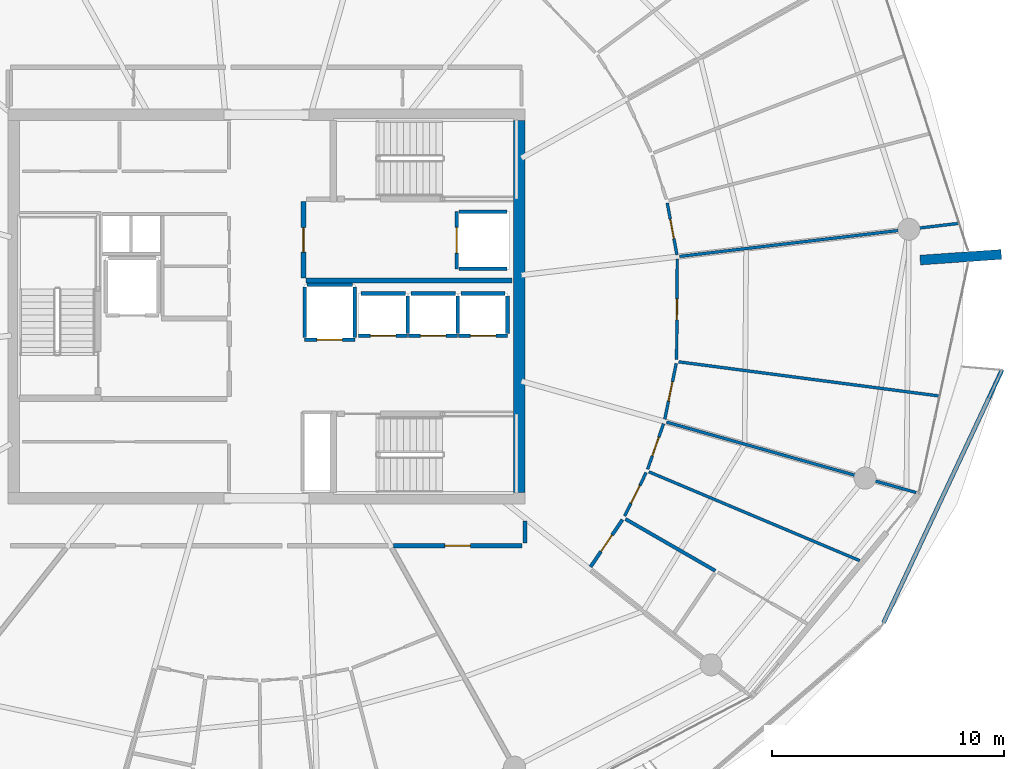
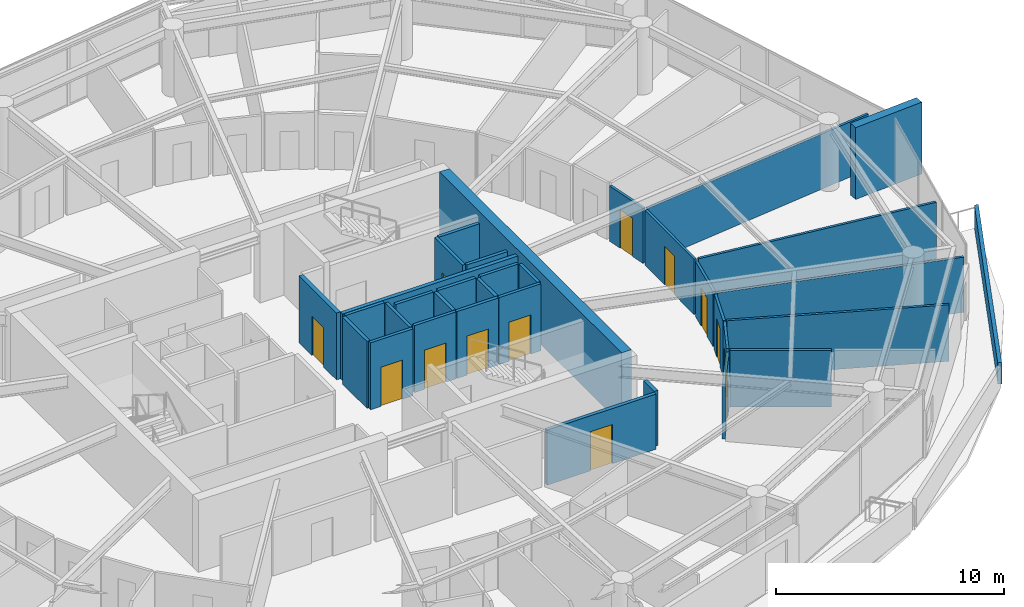
# One storey, part 20 of 30: 34 walls, 13 doors, 13 openings.
"""IFC4 building model written with IfcOpenShell, lengths in metres."""

from ifc_helpers import new_model, si_unit, direction, frame, frame_2d, origin, place, context, subcontext, project, spatial, polyline, rectangle, outline, extrude, material, layer, layer_set, type_object, element, fill, save


model = new_model("IFC4")

# Units and contexts
model_context = context("Model", 3, precision=1e-05, world=origin(), true_north=direction((0.0, 1.0)))
body_context = subcontext(model_context, "Body", "Model", "MODEL_VIEW")
ifc_project = project(units=[si_unit("LENGTHUNIT", "METRE"), si_unit("AREAUNIT", "SQUARE_METRE"), si_unit("VOLUMEUNIT", "CUBIC_METRE"), si_unit("PLANEANGLEUNIT", "RADIAN"), si_unit("MASSUNIT", "GRAM", prefix="KILO")], contexts=[model_context])

# Site, building, storey
site_placement = place(None, origin())
site = spatial("IfcSite", under=ifc_project, at=site_placement, CompositionType="ELEMENT")
building_placement = place(site_placement, origin())
building = spatial("IfcBuilding", under=site, at=building_placement, Name="Kazma Halo Residences", CompositionType="ELEMENT")
storey_placement = place(building_placement, frame((0.0, 0.0, 294.449951171875)))
storey = spatial("IfcBuildingStorey", under=building, at=storey_placement, Name="L74", CompositionType="ELEMENT", Elevation=294.449951171875)

# Walls
ifc_material_1 = material(Name="White Concrete C50/60 Balustrade", Category="concrete")
ifc_layer_1 = layer(ifc_material_1, 0.179931640625)
ifc_layer_set_1 = layer_set([ifc_layer_1], Name="White Concrete C50/60 Balustrade")
wall_type_1 = type_object("IfcWallType", Name="WL-BAL-WAVE-180", PredefinedType="PARAPET", material=ifc_layer_set_1)
wall_1_placement = place(storey_placement, frame((74.98779296875, 28.3837890625, 0.0), z_axis=(0.0, 0.0, 1.0), x_axis=(0.424181665689, 0.905577116812, 0.0)))
element("IfcWall", 1, at=wall_1_placement, inside=storey, type_object=wall_type_1, Name="L74 white wave balustrade wall SE.2", PredefinedType="PARAPET", context=body_context, shape_type="SweptSolid", body=[
    extrude(outline(polyline([(0.0, 0.0), (12.029052734375, 0.0), (12.029296875, 1.22412109375), (6.0146484375, 1.126953125), (0.0, 1.14794921875), (0.0, 0.0)])), frame((0.0, 0.08984375, 0.0), z_axis=(0.0, -1.0, 0.0), x_axis=(1.0, 0.0, 0.0)), (0.0, 0.0, 1.0), 0.179931640625),
])
ifc_material_2 = material(Name="Pale Concrete C60/75", Category="concrete")
ifc_layer_2 = layer(ifc_material_2, 0.419921875)
ifc_layer_set_2 = layer_set([ifc_layer_2], Name="Pale Concrete C60/75")
wall_type_2 = type_object("IfcWallType", Name="WL-BLADE-420", PredefinedType="SOLIDWALL", material=ifc_layer_set_2)
wall_2_placement = place(storey_placement, frame((76.5625, 43.997314453125, 0.0), z_axis=(0.0, 0.0, 1.0), x_axis=(0.997563824095, 0.069759707979, 0.0)))
element("IfcWall", 2, at=wall_2_placement, inside=storey, type_object=wall_type_2, Name="L74 pale concrete structural blade fin wall BW-04", PredefinedType="SOLIDWALL", context=body_context, shape_type="SweptSolid", body=[
    extrude(rectangle(XDim=3.499755859375, YDim=0.419921875, at=frame_2d((1.75, 0.0))), origin(), (0.0, 0.0, 1.0), 3.85009765625),
])
ifc_material_3 = material(Name="Concrete C60/75", Category="concrete")
ifc_layer_3 = layer(ifc_material_3, 0.5)
ifc_layer_set_3 = layer_set([ifc_layer_3], Name="Concrete C60/75")
wall_type_3 = type_object("IfcWallType", Name="WL-CORE-500", PredefinedType="SHEAR", material=ifc_layer_set_3)
wall_3_placement = place(storey_placement, frame((59.300048828125, 34.0, 0.0), z_axis=(0.0, 0.0, 1.0), x_axis=(0.0, 1.0, 0.0)))
element("IfcWall", 3, at=wall_3_placement, inside=storey, type_object=wall_type_3, Name="L74 central core shear wall E", PredefinedType="SHEAR", context=body_context, shape_type="SweptSolid", body=[
    extrude(rectangle(XDim=16.0, YDim=0.5, at=frame_2d((8.0, 0.0))), origin(), (0.0, 0.0, 1.0), 3.85009765625),
])

# Wall, opening, door
ifc_material_4 = material(Name="Acoustic Twin-Stud Gypsum")
ifc_layer_4 = layer(ifc_material_4, 0.179931640625)
ifc_layer_set_4 = layer_set([ifc_layer_4], Name="Acoustic Twin-Stud Gypsum")
wall_type_4 = type_object("IfcWallType", Name="WL-DEM-180", PredefinedType="PARTITIONING", material=ifc_layer_set_4)
wall_4_placement = place(storey_placement, frame((53.88818359375, 31.699951171875, 0.0), z_axis=(0.0, 0.0, 1.0), x_axis=(1.0, 0.0, 0.0)))
wall_4 = element("IfcWall", 4, at=wall_4_placement, inside=storey, type_object=wall_type_4, Name="L74 Apartment 2 entrance corridor wall", PredefinedType="PARTITIONING", context=body_context, shape_type="SweptSolid", body=[
    extrude(rectangle(XDim=5.541748046875, YDim=0.179931640625, at=frame_2d((2.77099609375, 0.0))), origin(), (0.0, 0.0, 1.0), 2.95703125),
])
opening_1_placement = place(wall_4_placement, frame((2.220703125, 0.0, 0.0)))
opening_1 = element("IfcOpeningElement", 5, at=opening_1_placement, cuts=wall_4, Name="Opening DA-1100", PredefinedType="OPENING", context=body_context, shape_type="SweptSolid", body=[
    extrude(rectangle(XDim=1.10009765625, YDim=2.10009765625, at=frame_2d((0.550048828125, 1.050048828125))), frame((0.0, 0.099853515625, 0.0), z_axis=(0.0, -1.0, 0.0), x_axis=(1.0, 0.0, 0.0)), (0.0, 0.0, 1.0), 0.199951171875),
])
ifc_material_5 = material(Name="Acoustic Walnut Fire Leaf")
door_type_1 = type_object("IfcDoorType", Name="DR-FD60-1100", OperationType="NOTDEFINED", PredefinedType="DOOR", material=ifc_material_5)
door_1_placement = place(opening_1_placement, origin())
door_1 = element("IfcDoor", 6, at=door_1_placement, inside=storey, type_object=door_type_1, Name="L74 Apartment 2 entrance fire door", OperationType="SINGLE_SWING_LEFT", OverallHeight=2.10009765625, OverallWidth=1.10009765625, PredefinedType="DOOR", context=body_context, shape_type="SweptSolid", body=[
    extrude(rectangle(XDim=1.10009765625, YDim=2.10009765625, at=frame_2d((0.550048828125, 1.050048828125))), frame((0.0, 0.02490234375, 0.0), z_axis=(0.0, -1.0, 0.0), x_axis=(1.0, 0.0, 0.0)), (0.0, 0.0, 1.0), 0.050048828125),
])
fill(opening_1, door_1)

# Wall
wall_5_placement = place(storey_placement, frame((59.550048828125, 31.820068359375, 0.0), z_axis=(0.0, 0.0, 1.0), x_axis=(0.0, 1.0, 0.0)))
element("IfcWall", 7, at=wall_5_placement, inside=storey, type_object=wall_type_4, Name="L74 Apartment 2 entrance corridor wall", PredefinedType="PARTITIONING", context=body_context, shape_type="SweptSolid", body=[
    extrude(rectangle(XDim=0.95458984375, YDim=0.179931640625, at=frame_2d((0.477294921875, 0.0))), origin(), (0.0, 0.0, 1.0), 2.95703125),
])

# Wall, opening, door
ifc_material_6 = material(Name="Fire-Rated Blockwork Masonry", Category="masonry")
ifc_layer_5 = layer(ifc_material_6, 0.199951171875)
ifc_layer_set_5 = layer_set([ifc_layer_5], Name="Fire-Rated Blockwork Masonry")
wall_type_5 = type_object("IfcWallType", Name="WL-FLB-200", PredefinedType="PARTITIONING", material=ifc_layer_set_5)
wall_6_placement = place(storey_placement, frame((54.5048828125, 40.7451171875, 0.0), z_axis=(0.0, 0.0, 1.0), x_axis=(-1.0, 0.0, 0.0)))
wall_6 = element("IfcWall", 8, at=wall_6_placement, inside=storey, type_object=wall_type_5, Name="L74 lift shaft PH-01 front wall", PredefinedType="PARTITIONING", context=body_context, shape_type="SweptSolid", body=[
    extrude(rectangle(XDim=2.10986328125, YDim=0.159912109375, at=frame_2d((1.054931640625, 0.0))), origin(), (0.0, 0.0, 1.0), 3.590087890625),
])
opening_2_placement = place(wall_6_placement, frame((0.5048828125, 0.0, 0.0)))
opening_2 = element("IfcOpeningElement", 9, at=opening_2_placement, cuts=wall_6, Name="Opening LD-PH-01", PredefinedType="OPENING", context=body_context, shape_type="SweptSolid", body=[
    extrude(rectangle(XDim=1.10009765625, YDim=2.10009765625, at=frame_2d((0.550048828125, 1.050048828125))), frame((0.0, 0.08984375, 0.0), z_axis=(0.0, -1.0, 0.0), x_axis=(1.0, 0.0, 0.0)), (0.0, 0.0, 1.0), 0.179931640625),
])
ifc_material_7 = material(Name="Stainless Steel Fire-Rated", Category="steel")
door_type_2 = type_object("IfcDoorType", Name="DR-LIFT-SLD-1100", OperationType="DOUBLE_DOOR_SLIDING", PredefinedType="DOOR", material=ifc_material_7)
door_2_placement = place(opening_2_placement, origin())
door_2 = element("IfcDoor", 10, at=door_2_placement, inside=storey, type_object=door_type_2, Name="L74 lift PH-01 sliding landing door", OperationType="DOUBLE_DOOR_SLIDING", OverallHeight=2.10009765625, OverallWidth=1.10009765625, PredefinedType="DOOR", context=body_context, shape_type="SweptSolid", body=[
    extrude(rectangle(XDim=1.10009765625, YDim=2.10009765625, at=frame_2d((0.550048828125, 1.050048828125))), frame((0.0, 0.02490234375, 0.0), z_axis=(0.0, -1.0, 0.0), x_axis=(1.0, 0.0, 0.0)), (0.0, 0.0, 1.0), 0.050048828125),
])
fill(opening_2, door_2)

# Walls
wall_7_placement = place(storey_placement, frame((54.5048828125, 40.844970703125, 0.0), z_axis=(0.0, 0.0, 1.0), x_axis=(0.0, 1.0, 0.0)))
element("IfcWall", 11, at=wall_7_placement, inside=storey, type_object=wall_type_5, Name="L74 lift shaft PH-01 side wall E", PredefinedType="PARTITIONING", context=body_context, shape_type="SweptSolid", body=[
    extrude(rectangle(XDim=1.610107421875, YDim=0.159912109375, at=frame_2d((0.80517578125, 0.0))), origin(), (0.0, 0.0, 1.0), 3.590087890625),
])
wall_8_placement = place(storey_placement, frame((52.4951171875, 42.554931640625, 0.0), z_axis=(0.0, 0.0, 1.0), x_axis=(1.0, 0.0, 0.0)))
element("IfcWall", 12, at=wall_8_placement, inside=storey, type_object=wall_type_5, Name="L74 lift shaft PH-01 side wall N", PredefinedType="PARTITIONING", context=body_context, shape_type="SweptSolid", body=[
    extrude(rectangle(XDim=1.909912109375, YDim=0.159912109375, at=frame_2d((0.955078125, 0.0))), origin(), (0.0, 0.0, 1.0), 3.590087890625),
])

# Wall, opening, door
wall_9_placement = place(storey_placement, frame((56.655029296875, 40.7451171875, 0.0), z_axis=(0.0, 0.0, 1.0), x_axis=(-1.0, 0.0, 0.0)))
wall_9 = element("IfcWall", 13, at=wall_9_placement, inside=storey, type_object=wall_type_5, Name="L74 lift shaft PH-02 front wall", PredefinedType="PARTITIONING", context=body_context, shape_type="SweptSolid", body=[
    extrude(rectangle(XDim=2.110107421875, YDim=0.159912109375, at=frame_2d((1.05517578125, 0.0))), origin(), (0.0, 0.0, 1.0), 3.590087890625),
])
opening_3_placement = place(wall_9_placement, frame((0.5048828125, 0.0, 0.0)))
opening_3 = element("IfcOpeningElement", 14, at=opening_3_placement, cuts=wall_9, Name="Opening LD-PH-02", PredefinedType="OPENING", context=body_context, shape_type="SweptSolid", body=[
    extrude(rectangle(XDim=1.10009765625, YDim=2.10009765625, at=frame_2d((0.550048828125, 1.050048828125))), frame((0.0, 0.08984375, 0.0), z_axis=(0.0, -1.0, 0.0), x_axis=(1.0, 0.0, 0.0)), (0.0, 0.0, 1.0), 0.179931640625),
])
door_3_placement = place(opening_3_placement, origin())
door_3 = element("IfcDoor", 15, at=door_3_placement, inside=storey, type_object=door_type_2, Name="L74 lift PH-02 sliding landing door", OperationType="DOUBLE_DOOR_SLIDING", OverallHeight=2.10009765625, OverallWidth=1.10009765625, PredefinedType="DOOR", context=body_context, shape_type="SweptSolid", body=[
    extrude(rectangle(XDim=1.10009765625, YDim=2.10009765625, at=frame_2d((0.550048828125, 1.050048828125))), frame((0.0, 0.02490234375, 0.0), z_axis=(0.0, -1.0, 0.0), x_axis=(1.0, 0.0, 0.0)), (0.0, 0.0, 1.0), 0.050048828125),
])
fill(opening_3, door_3)

# Walls
wall_10_placement = place(storey_placement, frame((56.655029296875, 40.844970703125, 0.0), z_axis=(0.0, 0.0, 1.0), x_axis=(0.0, 1.0, 0.0)))
element("IfcWall", 16, at=wall_10_placement, inside=storey, type_object=wall_type_5, Name="L74 lift shaft PH-02 side wall E", PredefinedType="PARTITIONING", context=body_context, shape_type="SweptSolid", body=[
    extrude(rectangle(XDim=1.610107421875, YDim=0.159912109375, at=frame_2d((0.80517578125, 0.0))), origin(), (0.0, 0.0, 1.0), 3.590087890625),
])
wall_11_placement = place(storey_placement, frame((54.64501953125, 42.554931640625, 0.0), z_axis=(0.0, 0.0, 1.0), x_axis=(1.0, 0.0, 0.0)))
element("IfcWall", 17, at=wall_11_placement, inside=storey, type_object=wall_type_5, Name="L74 lift shaft PH-02 side wall N", PredefinedType="PARTITIONING", context=body_context, shape_type="SweptSolid", body=[
    extrude(rectangle(XDim=1.909912109375, YDim=0.159912109375, at=frame_2d((0.955078125, 0.0))), origin(), (0.0, 0.0, 1.0), 3.590087890625),
])

# Wall, opening, door
wall_12_placement = place(storey_placement, frame((58.804931640625, 40.7451171875, 0.0), z_axis=(0.0, 0.0, 1.0), x_axis=(-1.0, 0.0, 0.0)))
wall_12 = element("IfcWall", 18, at=wall_12_placement, inside=storey, type_object=wall_type_5, Name="L74 lift shaft PH-03 front wall", PredefinedType="PARTITIONING", context=body_context, shape_type="SweptSolid", body=[
    extrude(rectangle(XDim=2.10986328125, YDim=0.159912109375, at=frame_2d((1.054931640625, 0.0))), origin(), (0.0, 0.0, 1.0), 3.590087890625),
])
opening_4_placement = place(wall_12_placement, frame((0.5048828125, 0.0, 0.0)))
opening_4 = element("IfcOpeningElement", 19, at=opening_4_placement, cuts=wall_12, Name="Opening LD-PH-03", PredefinedType="OPENING", context=body_context, shape_type="SweptSolid", body=[
    extrude(rectangle(XDim=1.10009765625, YDim=2.10009765625, at=frame_2d((0.550048828125, 1.050048828125))), frame((0.0, 0.08984375, 0.0), z_axis=(0.0, -1.0, 0.0), x_axis=(1.0, 0.0, 0.0)), (0.0, 0.0, 1.0), 0.179931640625),
])
door_4_placement = place(opening_4_placement, origin())
door_4 = element("IfcDoor", 20, at=door_4_placement, inside=storey, type_object=door_type_2, Name="L74 lift PH-03 sliding landing door", OperationType="DOUBLE_DOOR_SLIDING", OverallHeight=2.10009765625, OverallWidth=1.10009765625, PredefinedType="DOOR", context=body_context, shape_type="SweptSolid", body=[
    extrude(rectangle(XDim=1.10009765625, YDim=2.10009765625, at=frame_2d((0.550048828125, 1.050048828125))), frame((0.0, 0.02490234375, 0.0), z_axis=(0.0, -1.0, 0.0), x_axis=(1.0, 0.0, 0.0)), (0.0, 0.0, 1.0), 0.050048828125),
])
fill(opening_4, door_4)

# Walls
wall_13_placement = place(storey_placement, frame((58.804931640625, 40.844970703125, 0.0), z_axis=(0.0, 0.0, 1.0), x_axis=(0.0, 1.0, 0.0)))
element("IfcWall", 21, at=wall_13_placement, inside=storey, type_object=wall_type_5, Name="L74 lift shaft PH-03 side wall E", PredefinedType="PARTITIONING", context=body_context, shape_type="SweptSolid", body=[
    extrude(rectangle(XDim=1.610107421875, YDim=0.159912109375, at=frame_2d((0.80517578125, 0.0))), origin(), (0.0, 0.0, 1.0), 3.590087890625),
])
wall_14_placement = place(storey_placement, frame((56.794921875, 42.554931640625, 0.0), z_axis=(0.0, 0.0, 1.0), x_axis=(1.0, 0.0, 0.0)))
element("IfcWall", 22, at=wall_14_placement, inside=storey, type_object=wall_type_5, Name="L74 lift shaft PH-03 side wall N", PredefinedType="PARTITIONING", context=body_context, shape_type="SweptSolid", body=[
    extrude(rectangle(XDim=1.91015625, YDim=0.159912109375, at=frame_2d((0.955078125, 0.0))), origin(), (0.0, 0.0, 1.0), 3.590087890625),
])

# Wall, opening, door
wall_15_placement = place(storey_placement, frame((56.6201171875, 46.080078125, 0.0), z_axis=(0.0, 0.0, 1.0), x_axis=(0.0, -1.0, 0.0)))
wall_15 = element("IfcWall", 23, at=wall_15_placement, inside=storey, type_object=wall_type_5, Name="L74 lift shaft FL-02 front wall", PredefinedType="PARTITIONING", context=body_context, shape_type="SweptSolid", body=[
    extrude(rectangle(XDim=2.4599609375, YDim=0.159912109375, at=frame_2d((1.22998046875, 0.0))), origin(), (0.0, 0.0, 1.0), 3.590087890625),
])
opening_5_placement = place(wall_15_placement, frame((0.679931640625, 0.0, 0.0)))
opening_5 = element("IfcOpeningElement", 24, at=opening_5_placement, cuts=wall_15, Name="Opening LD-FL-02", PredefinedType="OPENING", context=body_context, shape_type="SweptSolid", body=[
    extrude(rectangle(XDim=1.10009765625, YDim=2.10009765625, at=frame_2d((0.550048828125, 1.050048828125))), frame((0.0, 0.08984375, 0.0), z_axis=(0.0, -1.0, 0.0), x_axis=(1.0, 0.0, 0.0)), (0.0, 0.0, 1.0), 0.179931640625),
])
door_5_placement = place(opening_5_placement, origin())
door_5 = element("IfcDoor", 25, at=door_5_placement, inside=storey, type_object=door_type_2, Name="L74 lift FL-02 sliding landing door", OperationType="DOUBLE_DOOR_SLIDING", OverallHeight=2.10009765625, OverallWidth=1.10009765625, PredefinedType="DOOR", context=body_context, shape_type="SweptSolid", body=[
    extrude(rectangle(XDim=1.10009765625, YDim=2.10009765625, at=frame_2d((0.550048828125, 1.050048828125))), frame((0.0, 0.02490234375, 0.0), z_axis=(0.0, -1.0, 0.0), x_axis=(1.0, 0.0, 0.0)), (0.0, 0.0, 1.0), 0.050048828125),
])
fill(opening_5, door_5)

# Walls
for number, where, z_axis, x_axis, name in (
    (26, (56.719970703125, 46.080078125, 0.0), (0.0, 0.0, 1.0), (1.0, 0.0, 0.0), "L74 lift shaft FL-02 side wall N"),
    (27, (56.719970703125, 43.6201171875, 0.0), (0.0, 0.0, 1.0), (1.0, 0.0, 0.0), "L74 lift shaft FL-02 side wall S"),
):
    element("IfcWall", number, at=place(storey_placement, frame(where, z_axis=z_axis, x_axis=x_axis)), inside=storey, type_object=wall_type_5, Name=name, PredefinedType="PARTITIONING", context=body_context, shape_type="SweptSolid", body=[
        extrude(rectangle(XDim=2.06005859375, YDim=0.159912109375, at=frame_2d((1.030029296875, 0.0))), origin(), (0.0, 0.0, 1.0), 3.590087890625),
    ])

# Wall, opening, door
wall_16_placement = place(storey_placement, frame((52.22998046875, 40.570068359375, 0.0), z_axis=(0.0, 0.0, 1.0), x_axis=(-1.0, 0.0, 0.0)))
wall_16 = element("IfcWall", 28, at=wall_16_placement, inside=storey, type_object=wall_type_5, Name="L74 lift shaft SV-01 front wall", PredefinedType="PARTITIONING", context=body_context, shape_type="SweptSolid", body=[
    extrude(rectangle(XDim=2.159912109375, YDim=0.159912109375, at=frame_2d((1.080078125, 0.0))), origin(), (0.0, 0.0, 1.0), 3.590087890625),
])
opening_6_placement = place(wall_16_placement, frame((0.530029296875, 0.0, 0.0)))
opening_6 = element("IfcOpeningElement", 29, at=opening_6_placement, cuts=wall_16, Name="Opening LD-SV-01", PredefinedType="OPENING", context=body_context, shape_type="SweptSolid", body=[
    extrude(rectangle(XDim=1.10009765625, YDim=2.10009765625, at=frame_2d((0.550048828125, 1.050048828125))), frame((0.0, 0.08984375, 0.0), z_axis=(0.0, -1.0, 0.0), x_axis=(1.0, 0.0, 0.0)), (0.0, 0.0, 1.0), 0.179931640625),
])
door_6_placement = place(opening_6_placement, origin())
door_6 = element("IfcDoor", 30, at=door_6_placement, inside=storey, type_object=door_type_2, Name="L74 lift SV-01 sliding landing door", OperationType="DOUBLE_DOOR_SLIDING", OverallHeight=2.10009765625, OverallWidth=1.10009765625, PredefinedType="DOOR", context=body_context, shape_type="SweptSolid", body=[
    extrude(rectangle(XDim=1.10009765625, YDim=2.10009765625, at=frame_2d((0.550048828125, 1.050048828125))), frame((0.0, 0.02490234375, 0.0), z_axis=(0.0, -1.0, 0.0), x_axis=(1.0, 0.0, 0.0)), (0.0, 0.0, 1.0), 0.050048828125),
])
fill(opening_6, door_6)

# Walls
for number, where, z_axis, x_axis, name in (
    (31, (52.22998046875, 40.669921875, 0.0), (0.0, 0.0, 1.0), (0.0, 1.0, 0.0), "L74 lift shaft SV-01 side wall E"),
    (32, (50.070068359375, 40.669921875, 0.0), (0.0, 0.0, 1.0), (0.0, 1.0, 0.0), "L74 lift shaft SV-01 side wall W"),
):
    element("IfcWall", number, at=place(storey_placement, frame(where, z_axis=z_axis, x_axis=x_axis)), inside=storey, type_object=wall_type_5, Name=name, PredefinedType="PARTITIONING", context=body_context, shape_type="SweptSolid", body=[
        extrude(rectangle(XDim=2.16015625, YDim=0.159912109375, at=frame_2d((1.080078125, 0.0))), origin(), (0.0, 0.0, 1.0), 3.590087890625),
    ])
wall_17_placement = place(storey_placement, frame((50.169921875, 42.929931640625, 0.0), z_axis=(0.0, 0.0, 1.0), x_axis=(1.0, 0.0, 0.0)))
element("IfcWall", 33, at=wall_17_placement, inside=storey, type_object=wall_type_5, Name="L74 lift shaft SV-01 side wall N", PredefinedType="PARTITIONING", context=body_context, shape_type="SweptSolid", body=[
    extrude(rectangle(XDim=1.9599609375, YDim=0.159912109375, at=frame_2d((0.97998046875, 0.0))), origin(), (0.0, 0.0, 1.0), 3.590087890625),
])
wall_18_placement = place(storey_placement, frame((50.1201171875, 43.1201171875, 0.0), z_axis=(0.0, 0.0, 1.0), x_axis=(1.0, 0.0, 0.0)))
element("IfcWall", 34, at=wall_18_placement, inside=storey, type_object=wall_type_5, Name="L74 east firefighting lobby south smoke wall", PredefinedType="PARTITIONING", context=body_context, shape_type="SweptSolid", body=[
    extrude(rectangle(XDim=8.8798828125, YDim=0.199951171875, at=frame_2d((4.43994140625, 0.0))), origin(), (0.0, 0.0, 1.0), 3.590087890625),
])

# Wall, opening, door
wall_19_placement = place(storey_placement, frame((50.02001953125, 43.219970703125, 0.0), z_axis=(0.0, 0.0, 1.0), x_axis=(0.0, 1.0, 0.0)))
wall_19 = element("IfcWall", 35, at=wall_19_placement, inside=storey, type_object=wall_type_5, Name="L74 east firefighting lobby smoke wall", PredefinedType="PARTITIONING", context=body_context, shape_type="SweptSolid", body=[
    extrude(rectangle(XDim=3.300048828125, YDim=0.199951171875, at=frame_2d((1.64990234375, 0.0))), origin(), (0.0, 0.0, 1.0), 3.590087890625),
])
opening_7_placement = place(wall_19_placement, frame((1.125, 0.0, 0.0)))
opening_7 = element("IfcOpeningElement", 36, at=opening_7_placement, cuts=wall_19, Name="Opening D-FLE", PredefinedType="OPENING", context=body_context, shape_type="SweptSolid", body=[
    extrude(rectangle(XDim=1.050048828125, YDim=2.10009765625, at=frame_2d((0.52490234375, 1.050048828125))), frame((0.0, 0.10986328125, 0.0), z_axis=(0.0, -1.0, 0.0), x_axis=(1.0, 0.0, 0.0)), (0.0, 0.0, 1.0), 0.219970703125),
])
ifc_material_8 = material(Name="Fire-Rated Steel Leaf", Category="steel")
door_type_3 = type_object("IfcDoorType", Name="DR-FD90-1050", OperationType="NOTDEFINED", PredefinedType="DOOR", material=ifc_material_8)
door_7_placement = place(opening_7_placement, origin())
door_7 = element("IfcDoor", 37, at=door_7_placement, inside=storey, type_object=door_type_3, Name="L74 east firefighting lobby smoke door", OperationType="SINGLE_SWING_RIGHT", OverallHeight=2.10009765625, OverallWidth=1.050048828125, PredefinedType="DOOR", context=body_context, shape_type="SweptSolid", body=[
    extrude(rectangle(XDim=1.050048828125, YDim=2.10009765625, at=frame_2d((0.52490234375, 1.050048828125))), frame((0.0, 0.02490234375, 0.0), z_axis=(0.0, -1.0, 0.0), x_axis=(1.0, 0.0, 0.0)), (0.0, 0.0, 1.0), 0.050048828125),
])
fill(opening_7, door_7)

# Wall
ifc_material_9 = material(Name="Gypsum Plasterboard Partition")
ifc_layer_6 = layer(ifc_material_9, 0.125)
ifc_layer_set_6 = layer_set([ifc_layer_6], Name="Gypsum Plasterboard Partition")
wall_type_6 = type_object("IfcWallType", Name="WL-PART-125", PredefinedType="PARTITIONING", material=ifc_layer_set_6)
wall_20_placement = place(storey_placement, frame((64.887939453125, 34.884033203125, 0.0), z_axis=(0.0, 0.0, 1.0), x_axis=(0.921531711532, -0.388303109235, 0.0)))
element("IfcWall", 38, at=wall_20_placement, inside=storey, type_object=wall_type_6, Name="L74 Apartment 2 suite divider 13", PredefinedType="PARTITIONING", context=body_context, shape_type="SweptSolid", body=[
    extrude(rectangle(XDim=9.8447265625, YDim=0.125, at=frame_2d((4.92236328125, 0.0))), origin(), (0.0, 0.0, 1.0), 3.030029296875),
])

# Wall, opening, door
wall_21_placement = place(storey_placement, frame((63.84130859375, 32.97705078125, 0.0), z_axis=(0.0, 0.0, 1.0), x_axis=(0.444545737729, 0.895756153798, 0.0)))
wall_21 = element("IfcWall", 39, at=wall_21_placement, inside=storey, type_object=wall_type_6, Name="L74 Apartment 2 Gourmet Kitchen hall wall", PredefinedType="PARTITIONING", context=body_context, shape_type="SweptSolid", body=[
    extrude(rectangle(XDim=2.088134765625, YDim=0.125, at=frame_2d((1.0439453125, 0.0))), origin(), (0.0, 0.0, 1.0), 3.030029296875),
])
opening_8_placement = place(wall_21_placement, frame((0.618896484375, 0.0, 0.0)))
opening_8 = element("IfcOpeningElement", 40, at=opening_8_placement, cuts=wall_21, Name="Opening DB-900", PredefinedType="OPENING", context=body_context, shape_type="SweptSolid", body=[
    extrude(rectangle(XDim=0.85009765625, YDim=2.06005859375, at=frame_2d((0.425048828125, 1.030029296875))), frame((0.0, 0.072509765625, 0.0), z_axis=(0.0, -1.0, 0.0), x_axis=(1.0, 0.0, 0.0)), (0.0, 0.0, 1.0), 0.14501953125),
])
ifc_material_10 = material(Name="Moisture-Sealed Timber Leaf", Category="wood")
door_type_4 = type_object("IfcDoorType", Name="DR-BTH-900", OperationType="NOTDEFINED", PredefinedType="DOOR", material=ifc_material_10)
door_8_placement = place(opening_8_placement, origin())
door_8 = element("IfcDoor", 41, at=door_8_placement, inside=storey, type_object=door_type_4, Name="L74 Apartment 2 Gourmet Kitchen door", OperationType="SINGLE_SWING_RIGHT", OverallHeight=2.06005859375, OverallWidth=0.85009765625, PredefinedType="DOOR", context=body_context, shape_type="SweptSolid", body=[
    extrude(rectangle(XDim=0.85009765625, YDim=2.06005859375, at=frame_2d((0.425048828125, 1.030029296875))), frame((0.0, 0.02490234375, 0.0), z_axis=(0.0, -1.0, 0.0), x_axis=(1.0, 0.0, 0.0)), (0.0, 0.0, 1.0), 0.050048828125),
])
fill(opening_8, door_8)

wall_22_placement = place(storey_placement, frame((64.83154296875, 34.994384765625, 0.0), z_axis=(0.0, 0.0, 1.0), x_axis=(0.330502190572, 0.943805224624, 0.0)))
wall_22 = element("IfcWall", 42, at=wall_22_placement, inside=storey, type_object=wall_type_6, Name="L74 Apartment 2 Primary Bedroom hall wall", PredefinedType="PARTITIONING", context=body_context, shape_type="SweptSolid", body=[
    extrude(rectangle(XDim=2.077880859375, YDim=0.125, at=frame_2d((1.0390625, 0.0))), origin(), (0.0, 0.0, 1.0), 2.95703125),
])
opening_9_placement = place(wall_22_placement, frame((0.614013671875, 0.0, 0.0)))
opening_9 = element("IfcOpeningElement", 43, at=opening_9_placement, cuts=wall_22, Name="Opening DB-900", PredefinedType="OPENING", context=body_context, shape_type="SweptSolid", body=[
    extrude(rectangle(XDim=0.85009765625, YDim=2.06005859375, at=frame_2d((0.425048828125, 1.030029296875))), frame((0.0, 0.072509765625, 0.0), z_axis=(0.0, -1.0, 0.0), x_axis=(1.0, 0.0, 0.0)), (0.0, 0.0, 1.0), 0.14501953125),
])
door_9_placement = place(opening_9_placement, origin())
door_9 = element("IfcDoor", 44, at=door_9_placement, inside=storey, type_object=door_type_4, Name="L74 Apartment 2 Primary Bedroom door", OperationType="SINGLE_SWING_LEFT", OverallHeight=2.06005859375, OverallWidth=0.85009765625, PredefinedType="DOOR", context=body_context, shape_type="SweptSolid", body=[
    extrude(rectangle(XDim=0.85009765625, YDim=2.06005859375, at=frame_2d((0.425048828125, 1.030029296875))), frame((0.0, 0.02490234375, 0.0), z_axis=(0.0, -1.0, 0.0), x_axis=(1.0, 0.0, 0.0)), (0.0, 0.0, 1.0), 0.050048828125),
])
fill(opening_9, door_9)

# Walls
wall_23_placement = place(storey_placement, frame((65.6474609375, 37.02294921875, 0.0), z_axis=(0.0, 0.0, 1.0), x_axis=(0.962452900165, -0.271448733583, 0.0)))
element("IfcWall", 45, at=wall_23_placement, inside=storey, type_object=wall_type_6, Name="L74 Apartment 2 radial partition 14", PredefinedType="PARTITIONING", context=body_context, shape_type="SweptSolid", body=[
    extrude(rectangle(XDim=11.15966796875, YDim=0.125, at=frame_2d((5.579833984375, 0.0))), origin(), (0.0, 0.0, 1.0), 2.95703125),
])
wall_24_placement = place(storey_placement, frame((66.17041015625, 39.617431640625, 0.0), z_axis=(0.0, 0.0, 1.0), x_axis=(0.991515553817, -0.129988101526, 0.0)))
element("IfcWall", 46, at=wall_24_placement, inside=storey, type_object=wall_type_6, Name="L74 Apartment 2 mid-bay wall 14", PredefinedType="PARTITIONING", context=body_context, shape_type="SweptSolid", body=[
    extrude(rectangle(XDim=11.306640625, YDim=0.125, at=frame_2d((5.6533203125, 0.0))), origin(), (0.0, 0.0, 1.0), 3.030029296875),
])

# Wall, opening, door
wall_25_placement = place(storey_placement, frame((65.5712890625, 37.14794921875, 0.0), z_axis=(0.0, 0.0, 1.0), x_axis=(0.201338395816, 0.979521745736, 0.0)))
wall_25 = element("IfcWall", 47, at=wall_25_placement, inside=storey, type_object=wall_type_6, Name="L74 Apartment 2 Primary Wine Pantry Store hall wall", PredefinedType="PARTITIONING", context=body_context, shape_type="SweptSolid", body=[
    extrude(rectangle(XDim=2.453125, YDim=0.125, at=frame_2d((1.2265625, 0.0))), origin(), (0.0, 0.0, 1.0), 2.95703125),
])
opening_10_placement = place(wall_25_placement, frame((0.801513671875, 0.0, 0.0)))
opening_10 = element("IfcOpeningElement", 48, at=opening_10_placement, cuts=wall_25, Name="Opening DB-900", PredefinedType="OPENING", context=body_context, shape_type="SweptSolid", body=[
    extrude(rectangle(XDim=0.85009765625, YDim=2.06005859375, at=frame_2d((0.425048828125, 1.030029296875))), frame((0.0, 0.072509765625, 0.0), z_axis=(0.0, -1.0, 0.0), x_axis=(1.0, 0.0, 0.0)), (0.0, 0.0, 1.0), 0.14501953125),
])
door_10_placement = place(opening_10_placement, origin())
door_10 = element("IfcDoor", 49, at=door_10_placement, inside=storey, type_object=door_type_4, Name="L74 Apartment 2 Primary Wine Pantry Store door", OperationType="SINGLE_SWING_LEFT", OverallHeight=2.06005859375, OverallWidth=0.85009765625, PredefinedType="DOOR", context=body_context, shape_type="SweptSolid", body=[
    extrude(rectangle(XDim=0.85009765625, YDim=2.06005859375, at=frame_2d((0.425048828125, 1.030029296875))), frame((0.0, 0.02490234375, 0.0), z_axis=(0.0, -1.0, 0.0), x_axis=(1.0, 0.0, 0.0)), (0.0, 0.0, 1.0), 0.050048828125),
])
fill(opening_10, door_10)

wall_26_placement = place(storey_placement, frame((66.081787109375, 39.709228515625, 0.0), z_axis=(0.0, 0.0, 1.0), x_axis=(0.006252342161, 0.999980453918, 0.0)))
wall_26 = element("IfcWall", 50, at=wall_26_placement, inside=storey, type_object=wall_type_6, Name="L74 Apartment 2 Secondary Formal Dining Room hall wall", PredefinedType="PARTITIONING", context=body_context, shape_type="SweptSolid", body=[
    extrude(rectangle(XDim=4.334228515625, YDim=0.125, at=frame_2d((2.1669921875, 0.0))), origin(), (0.0, 0.0, 1.0), 2.95703125),
])
opening_11_placement = place(wall_26_placement, frame((1.717041015625, 0.0, 0.0)))
opening_11 = element("IfcOpeningElement", 51, at=opening_11_placement, cuts=wall_26, Name="Opening DI-950", PredefinedType="OPENING", context=body_context, shape_type="SweptSolid", body=[
    extrude(rectangle(XDim=0.89990234375, YDim=2.080078125, at=frame_2d((0.449951171875, 1.0400390625))), frame((0.0, 0.072509765625, 0.0), z_axis=(0.0, -1.0, 0.0), x_axis=(1.0, 0.0, 0.0)), (0.0, 0.0, 1.0), 0.14501953125),
])
ifc_material_11 = material(Name="Timber Veneer Flush Leaf", Category="wood")
door_type_5 = type_object("IfcDoorType", Name="DR-INT-950", OperationType="NOTDEFINED", PredefinedType="DOOR", material=ifc_material_11)
door_11_placement = place(opening_11_placement, origin())
door_11 = element("IfcDoor", 52, at=door_11_placement, inside=storey, type_object=door_type_5, Name="L74 Apartment 2 Secondary Formal Dining Room door", OperationType="SINGLE_SWING_RIGHT", OverallHeight=2.080078125, OverallWidth=0.89990234375, PredefinedType="DOOR", context=body_context, shape_type="SweptSolid", body=[
    extrude(rectangle(XDim=0.89990234375, YDim=2.080078125, at=frame_2d((0.449951171875, 1.0400390625))), frame((0.0, 0.02490234375, 0.0), z_axis=(0.0, -1.0, 0.0), x_axis=(1.0, 0.0, 0.0)), (0.0, 0.0, 1.0), 0.050048828125),
])
fill(opening_11, door_11)

# Wall
wall_27_placement = place(storey_placement, frame((66.208984375, 44.1552734375, 0.0), z_axis=(0.0, 0.0, 1.0), x_axis=(0.993069062241, 0.117532283306, 0.0)))
element("IfcWall", 53, at=wall_27_placement, inside=storey, type_object=wall_type_6, Name="L74 Apartment 2 radial partition 15", PredefinedType="PARTITIONING", context=body_context, shape_type="SweptSolid", body=[
    extrude(rectangle(XDim=12.093505859375, YDim=0.125, at=frame_2d((6.046875, 0.0))), origin(), (0.0, 0.0, 1.0), 2.95703125),
])

# Wall, opening, door
wall_28_placement = place(storey_placement, frame((66.094970703125, 44.221923828125, 0.0), z_axis=(0.0, 0.0, 1.0), x_axis=(-0.183542776788, 0.98301172378, 0.0)))
wall_28 = element("IfcWall", 54, at=wall_28_placement, inside=storey, type_object=wall_type_6, Name="L74 Apartment 2 East Master Bedroom hall wall", PredefinedType="PARTITIONING", context=body_context, shape_type="SweptSolid", body=[
    extrude(rectangle(XDim=2.273193359375, YDim=0.125, at=frame_2d((1.13671875, 0.0))), origin(), (0.0, 0.0, 1.0), 2.95703125),
])
opening_12_placement = place(wall_28_placement, frame((0.71142578125, 0.0, 0.0)))
opening_12 = element("IfcOpeningElement", 55, at=opening_12_placement, cuts=wall_28, Name="Opening DB-900", PredefinedType="OPENING", context=body_context, shape_type="SweptSolid", body=[
    extrude(rectangle(XDim=0.85009765625, YDim=2.06005859375, at=frame_2d((0.425048828125, 1.030029296875))), frame((0.0, 0.072509765625, 0.0), z_axis=(0.0, -1.0, 0.0), x_axis=(1.0, 0.0, 0.0)), (0.0, 0.0, 1.0), 0.14501953125),
])
door_12_placement = place(opening_12_placement, origin())
door_12 = element("IfcDoor", 56, at=door_12_placement, inside=storey, type_object=door_type_4, Name="L74 Apartment 2 East Master Bedroom door", OperationType="SINGLE_SWING_LEFT", OverallHeight=2.06005859375, OverallWidth=0.85009765625, PredefinedType="DOOR", context=body_context, shape_type="SweptSolid", body=[
    extrude(rectangle(XDim=0.85009765625, YDim=2.06005859375, at=frame_2d((0.425048828125, 1.030029296875))), frame((0.0, 0.02490234375, 0.0), z_axis=(0.0, -1.0, 0.0), x_axis=(1.0, 0.0, 0.0)), (0.0, 0.0, 1.0), 0.050048828125),
])
fill(opening_12, door_12)

ifc_material_12 = material(Name="Moisture-Resistant Gypsum")
ifc_layer_7 = layer(ifc_material_12, 0.14990234375)
ifc_layer_set_7 = layer_set([ifc_layer_7], Name="Moisture-Resistant Gypsum")
wall_type_7 = type_object("IfcWallType", Name="WL-WET-150", PredefinedType="PARTITIONING", material=ifc_layer_set_7)
wall_29_placement = place(storey_placement, frame((62.377197265625, 30.79296875, 0.0), z_axis=(0.0, 0.0, 1.0), x_axis=(0.560572719222, 0.828105202534, 0.0)))
wall_29 = element("IfcWall", 57, at=wall_29_placement, inside=storey, type_object=wall_type_7, Name="L74 Apartment 2 Guest Bathroom hall wall", PredefinedType="PARTITIONING", context=body_context, shape_type="SweptSolid", body=[
    extrude(rectangle(XDim=2.4501953125, YDim=0.14990234375, at=frame_2d((1.22509765625, 0.0))), origin(), (0.0, 0.0, 1.0), 2.95703125),
])
opening_13_placement = place(wall_29_placement, frame((0.800048828125, 0.0, 0.0)))
opening_13 = element("IfcOpeningElement", 58, at=opening_13_placement, cuts=wall_29, Name="Opening DB-900", PredefinedType="OPENING", context=body_context, shape_type="SweptSolid", body=[
    extrude(rectangle(XDim=0.85009765625, YDim=2.06005859375, at=frame_2d((0.425048828125, 1.030029296875))), frame((0.0, 0.0849609375, 0.0), z_axis=(0.0, -1.0, 0.0), x_axis=(1.0, 0.0, 0.0)), (0.0, 0.0, 1.0), 0.169921875),
])
door_13_placement = place(opening_13_placement, origin())
door_13 = element("IfcDoor", 59, at=door_13_placement, inside=storey, type_object=door_type_4, Name="L74 Apartment 2 Guest Bathroom door", OperationType="SINGLE_SWING_RIGHT", OverallHeight=2.06005859375, OverallWidth=0.85009765625, PredefinedType="DOOR", context=body_context, shape_type="SweptSolid", body=[
    extrude(rectangle(XDim=0.85009765625, YDim=2.06005859375, at=frame_2d((0.425048828125, 1.030029296875))), frame((0.0, 0.02490234375, 0.0), z_axis=(0.0, -1.0, 0.0), x_axis=(1.0, 0.0, 0.0)), (0.0, 0.0, 1.0), 0.050048828125),
])
fill(opening_13, door_13)

# Wall
wall_30_placement = place(storey_placement, frame((63.879150390625, 32.8515625, 0.0), z_axis=(0.0, 0.0, 1.0), x_axis=(0.866472506867, -0.499224793899, 0.0)))
element("IfcWall", 60, at=wall_30_placement, inside=storey, type_object=wall_type_7, Name="L74 Apartment 2 Guest Bathroom side wall", PredefinedType="PARTITIONING", context=body_context, shape_type="SweptSolid", body=[
    extrude(rectangle(XDim=4.4599609375, YDim=0.14990234375, at=frame_2d((2.22998046875, 0.0))), origin(), (0.0, 0.0, 1.0), 3.030029296875),
])

save(model, "model.ifc")
